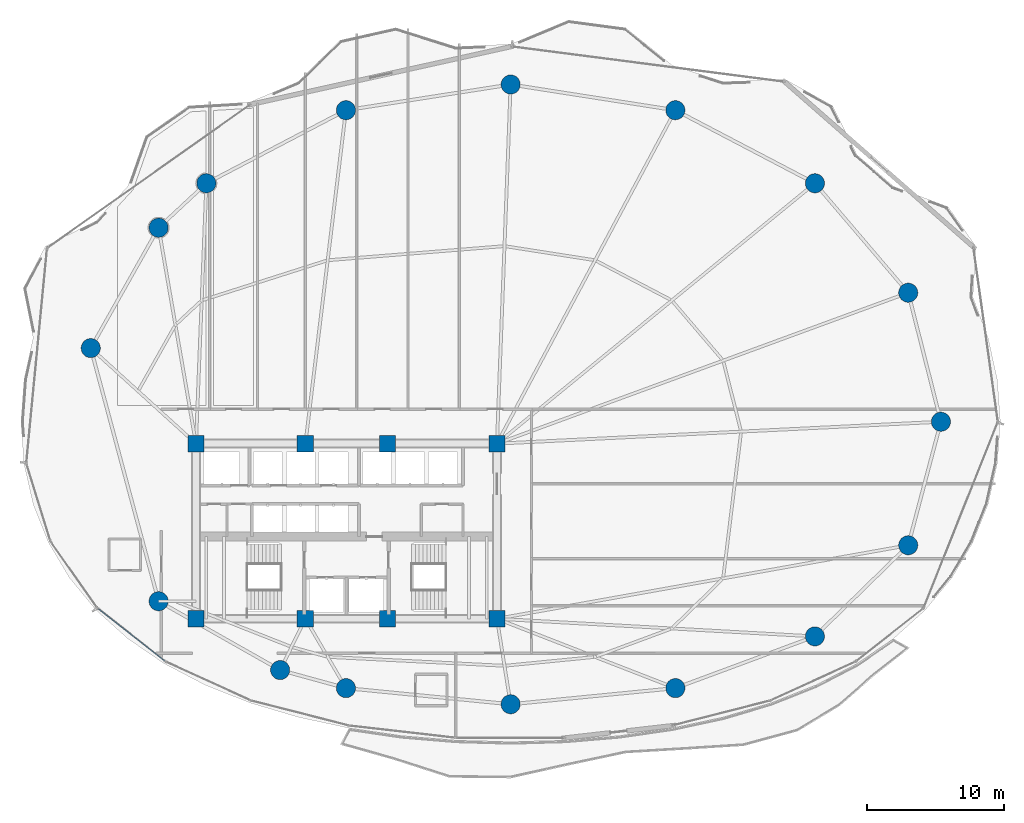
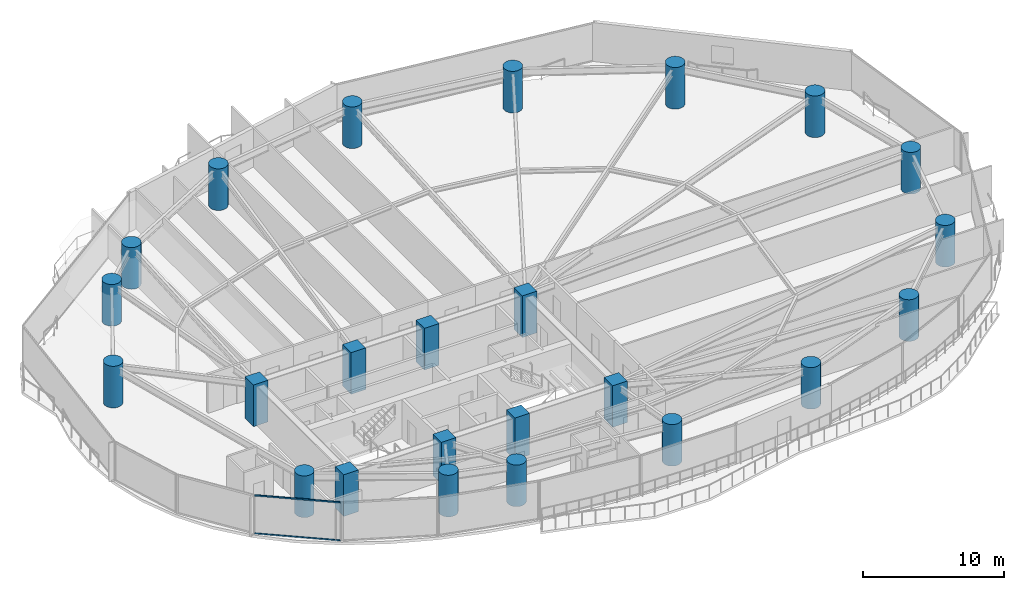
# One storey, part 1 of 31: 24 columns, 2 members, 1 element without a shape of its own.
"""IFC4 building model written with IfcOpenShell, lengths in metres."""

from ifc_helpers import new_model, si_unit, direction, frame, origin, origin_2d, place, context, subcontext, project, spatial, rectangle, hollow_rectangle, circle, extrude, material, layer, layer_set, material_profile, profile_set, type_object, element, aggregate, save


model = new_model("IFC4")

# Units and contexts
model_context = context("Model", 3, precision=1e-05, world=origin(), true_north=direction((0.0, 1.0)))
body_context = subcontext(model_context, "Body", "Model", "MODEL_VIEW")
ifc_project = project(units=[si_unit("LENGTHUNIT", "METRE"), si_unit("AREAUNIT", "SQUARE_METRE"), si_unit("VOLUMEUNIT", "CUBIC_METRE"), si_unit("PLANEANGLEUNIT", "RADIAN"), si_unit("MASSUNIT", "GRAM", prefix="KILO")], contexts=[model_context])

# Site, building, storey
site_placement = place(None, origin())
site = spatial("IfcSite", under=ifc_project, at=site_placement, CompositionType="ELEMENT")
building_placement = place(site_placement, origin())
building = spatial("IfcBuilding", under=site, at=building_placement, Name="Kazevale Care Tower and Concert Hall", CompositionType="ELEMENT")
storey_placement = place(building_placement, frame((0.0, 0.0, 56.39990234375)))
storey = spatial("IfcBuildingStorey", under=building, at=storey_placement, Name="L14", CompositionType="ELEMENT", Elevation=56.39990234375)

# Columns
ifc_material_1 = material(Name="Concrete C70", Category="concrete")
ifc_material_profile_1 = material_profile(ifc_material_1, rectangle(XDim=1.199951171875, YDim=1.199951171875, at=origin_2d()), Name="RC-SQ1200")
ifc_profile_set_1 = profile_set([ifc_material_profile_1], Name="Concrete C70")
column_type_1 = type_object("IfcColumnType", Name="Core Column SQ1200 C70", PredefinedType="COLUMN", material=ifc_profile_set_1)
for number, where, z_axis, x_axis, name in (
    (1, (22.0, 23.60009765625, 0.0), (0.0, 0.0, 1.0), (1.0, 0.0, 0.0), "col:L14:CC-01"),
    (2, (30.0, 23.60009765625, 0.0), (0.0, 0.0, 1.0), (1.0, 0.0, 0.0), "col:L14:CC-02"),
    (3, (36.0, 23.60009765625, 0.0), (0.0, 0.0, 1.0), (1.0, 0.0, 0.0), "col:L14:CC-03"),
    (4, (44.0, 23.60009765625, 0.0), (0.0, 0.0, 1.0), (1.0, 0.0, 0.0), "col:L14:CC-04"),
    (5, (44.0, 36.39990234375, 0.0), (0.0, 0.0, 1.0), (1.0, 0.0, 0.0), "col:L14:CC-05"),
    (6, (36.0, 36.39990234375, 0.0), (0.0, 0.0, 1.0), (1.0, 0.0, 0.0), "col:L14:CC-06"),
    (7, (30.0, 36.39990234375, 0.0), (0.0, 0.0, 1.0), (1.0, 0.0, 0.0), "col:L14:CC-07"),
    (8, (22.0, 36.39990234375, 0.0), (0.0, 0.0, 1.0), (1.0, 0.0, 0.0), "col:L14:CC-08"),
):
    element("IfcColumn", number, at=place(storey_placement, frame(where, z_axis=z_axis, x_axis=x_axis)), inside=storey, type_object=column_type_1, Name=name, PredefinedType="COLUMN", context=body_context, shape_type="SweptSolid", body=[
        extrude(rectangle(XDim=1.199951171875, YDim=1.199951171875, at=origin_2d()), origin(), (0.0, 0.0, 1.0), 3.60009765625),
    ])
ifc_material_profile_2 = material_profile(ifc_material_1, circle(Radius=0.699951171875, at=origin_2d()), Name="RC-CIR1400")
ifc_profile_set_2 = profile_set([ifc_material_profile_2], Name="Concrete C70")
column_type_2 = type_object("IfcColumnType", Name="Perimeter Column CIR1400 C70", PredefinedType="COLUMN", material=ifc_profile_set_2)
for number, where, z_axis, x_axis, name in (
    (9, (76.449951171875, 38.0, 0.0), (0.0, 0.0, 1.0), (1.0, 0.0, 0.0), "col:L14:PC-01"),
    (10, (74.06005859375, 47.429931640625, 0.0), (0.0, 0.0, 1.0), (1.0, 0.0, 0.0), "col:L14:PC-02"),
    (11, (67.239990234375, 55.429931640625, 0.0), (0.0, 0.0, 1.0), (1.0, 0.0, 0.0), "col:L14:PC-03"),
    (12, (57.0400390625, 60.77001953125, 0.0), (0.0, 0.0, 1.0), (1.0, 0.0, 0.0), "col:L14:PC-04"),
    (13, (45.0, 62.64990234375, 0.0), (0.0, 0.0, 1.0), (1.0, 0.0, 0.0), "col:L14:PC-05"),
    (14, (32.9599609375, 60.77001953125, 0.0), (0.0, 0.0, 1.0), (1.0, 0.0, 0.0), "col:L14:PC-06"),
    (15, (22.760009765625, 55.429931640625, 0.0), (0.0, 0.0, 1.0), (1.0, 0.0, 0.0), "col:L14:PC-07"),
    (16, (19.27001953125, 52.179931640625, 0.0), (0.0, 0.0, 1.0), (1.0, 0.0, 0.0), "col:L14:PC-08"),
    (17, (14.31005859375, 43.3798828125, 0.0), (0.0, 0.0, 1.0), (1.0, 0.0, 0.0), "col:L14:PC-09"),
    (18, (19.27001953125, 24.8798828125, 0.0), (0.0, 0.0, 1.0), (1.0, 0.0, 0.0), "col:L14:PC-10"),
    (19, (28.14990234375, 19.85009765625, 0.0), (0.0, 0.0, 1.0), (1.0, 0.0, 0.0), "col:L14:PC-11"),
    (20, (32.9599609375, 18.530029296875, 0.0), (0.0, 0.0, 1.0), (1.0, 0.0, 0.0), "col:L14:PC-12"),
    (21, (45.0, 17.35009765625, 0.0), (0.0, 0.0, 1.0), (1.0, 0.0, 0.0), "col:L14:PC-13"),
    (22, (57.0400390625, 18.530029296875, 0.0), (0.0, 0.0, 1.0), (1.0, 0.0, 0.0), "col:L14:PC-14"),
    (23, (67.239990234375, 22.31005859375, 0.0), (0.0, 0.0, 1.0), (1.0, 0.0, 0.0), "col:L14:PC-15"),
    (24, (74.06005859375, 28.969970703125, 0.0), (0.0, 0.0, 1.0), (1.0, 0.0, 0.0), "col:L14:PC-16"),
):
    element("IfcColumn", number, at=place(storey_placement, frame(where, z_axis=z_axis, x_axis=x_axis)), inside=storey, type_object=column_type_2, Name=name, PredefinedType="COLUMN", context=body_context, shape_type="SweptSolid", body=[
        extrude(circle(Radius=0.699951171875, at=origin_2d()), origin(), (0.0, 0.0, 1.0), 3.60009765625),
    ])

# Curtain wall, members
ifc_material_2 = material(Name="Aluminium 6063-T6 and Low-E Glass", Category="aluminium")
ifc_layer = layer(ifc_material_2, 0.179931640625)
ifc_layer_set = layer_set([ifc_layer], Name="Aluminium 6063-T6 and Low-E Glass")
curtain_wall_type = type_object("IfcCurtainWallType", Name="Sheltered Concave Balcony Curtain Wall CW-5", PredefinedType="NOTDEFINED", material=ifc_layer_set)
curtain_wall_placement = place(storey_placement, origin())
curtain_wall = element("IfcCurtainWall", 25, at=curtain_wall_placement, inside=storey, type_object=curtain_wall_type, Name="cw:L14:f10", PredefinedType="NOTDEFINED")
ifc_material_3 = material(Name="Aluminium 6063-T6", Category="aluminium")
ifc_material_profile_3 = material_profile(ifc_material_3, hollow_rectangle(XDim=0.074951171875, YDim=0.1201171875, WallThickness=0.00390625, at=origin_2d()), Name="ALU75x120x4")
ifc_profile_set_3 = profile_set([ifc_material_profile_3], Name="Aluminium 6063-T6")
member_type = type_object("IfcMemberType", Name="CW-5 Transom ALU75x120x4", PredefinedType="USERDEFINED", material=ifc_profile_set_3)
member_1_placement = place(storey_placement, frame((19.718994140625, 20.513427734375, 0.03759765625), z_axis=(-0.78633897536, 0.617795286344, 0.0), x_axis=(-0.617795286344, -0.78633897536, 0.0)))
member_1 = element("IfcMember", 26, at=member_1_placement, type_object=member_type, Name="CW-5 transom 1.1", ObjectType="TRANSOM", PredefinedType="USERDEFINED", context=body_context, shape_type="SweptSolid", body=[
    extrude(hollow_rectangle(XDim=0.074951171875, YDim=0.1201171875, WallThickness=0.00390625, at=origin_2d()), origin(), (0.0, 0.0, 1.0), 6.15771484375),
])
member_2_placement = place(storey_placement, frame((19.718994140625, 20.513427734375, 3.322509765625), z_axis=(-0.78633897536, 0.617795286344, 0.0), x_axis=(-0.617795286344, -0.78633897536, 0.0)))
member_2 = element("IfcMember", 27, at=member_2_placement, type_object=member_type, Name="CW-5 transom 1.2", ObjectType="TRANSOM", PredefinedType="USERDEFINED", context=body_context, shape_type="SweptSolid", body=[
    extrude(hollow_rectangle(XDim=0.074951171875, YDim=0.1201171875, WallThickness=0.00390625, at=origin_2d()), origin(), (0.0, 0.0, 1.0), 6.15771484375),
])
aggregate(curtain_wall, [member_1, member_2])

save(model, "model.ifc")
